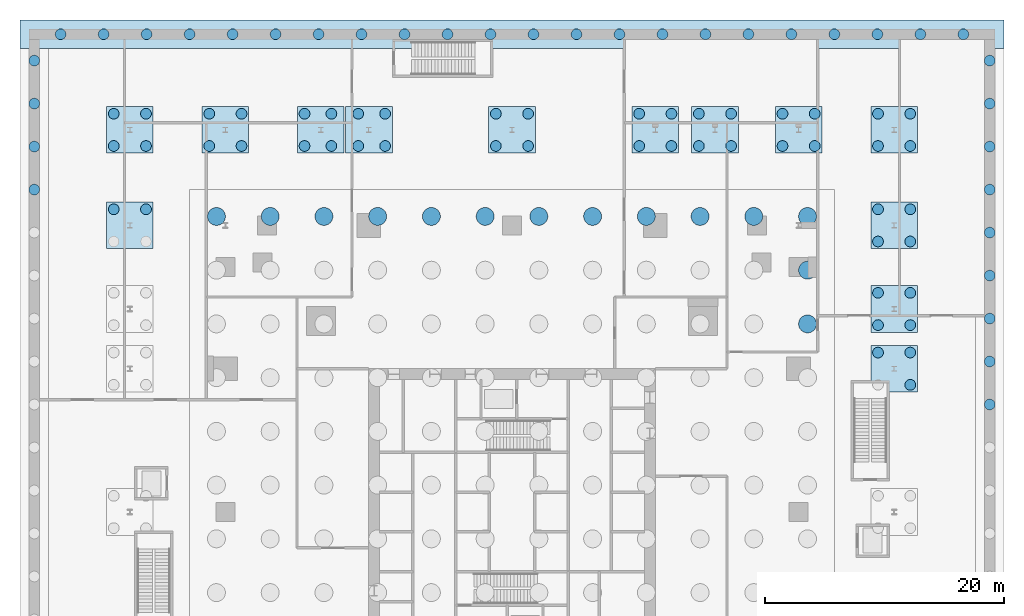
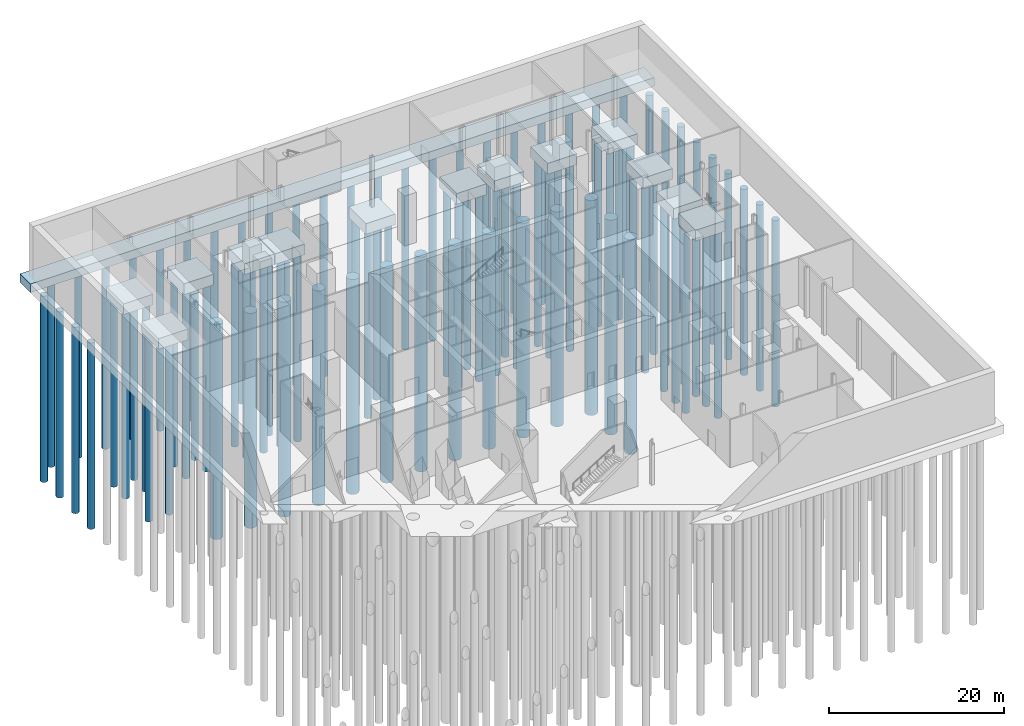
# One storey, part 2 of 15: 98 piles, 14 footings.
"""IFC4 building model written with IfcOpenShell, lengths in metres."""

from ifc_helpers import new_model, si_unit, direction, frame, origin, origin_2d, place, context, subcontext, project, spatial, rectangle, circle, extrude, material, type_object, element, save


model = new_model("IFC4")

# Units and contexts
model_context = context("Model", 3, precision=1e-05, world=origin(), true_north=direction((0.0, 1.0)))
body_context = subcontext(model_context, "Body", "Model", "MODEL_VIEW")
ifc_project = project(units=[si_unit("LENGTHUNIT", "METRE"), si_unit("AREAUNIT", "SQUARE_METRE"), si_unit("VOLUMEUNIT", "CUBIC_METRE"), si_unit("PLANEANGLEUNIT", "RADIAN"), si_unit("MASSUNIT", "GRAM", prefix="KILO")], contexts=[model_context])

# Site, building, storey
site_placement = place(None, origin())
site = spatial("IfcSite", under=ifc_project, at=site_placement, CompositionType="ELEMENT")
building_placement = place(site_placement, origin())
building = spatial("IfcBuilding", under=site, at=building_placement, Name="Fenwick Lantern Interchange", CompositionType="ELEMENT")
storey_placement = place(building_placement, frame((0.0, 0.0, -7.0)))
storey = spatial("IfcBuildingStorey", under=building, at=storey_placement, Name="B-1", CompositionType="ELEMENT", Elevation=-7.0)

# Piles
ifc_material = material(Name="Concrete f'c 45 MPa", Category="concrete")
pile_type_1 = type_object("IfcPileType", Name="BORED PILE 1500", PredefinedType="BORED", material=ifc_material)
for number, where, z_axis, x_axis, name in (
    (1, (0.25, 49.75, -3.0), (0.0, 0.0, -1.0), (1.0, 0.0, 0.0), "FDN/RAFT/P01-12"),
    (2, (4.75, 49.75, -3.0), (0.0, 0.0, -1.0), (1.0, 0.0, 0.0), "FDN/RAFT/P02-12"),
    (3, (9.25, 49.75, -3.0), (0.0, 0.0, -1.0), (1.0, 0.0, 0.0), "FDN/RAFT/P03-12"),
    (4, (13.75, 49.75, -3.0), (0.0, 0.0, -1.0), (1.0, 0.0, 0.0), "FDN/RAFT/P04-12"),
    (5, (18.25, 49.75, -3.0), (0.0, 0.0, -1.0), (1.0, 0.0, 0.0), "FDN/RAFT/P05-12"),
    (6, (22.75, 49.75, -3.0), (0.0, 0.0, -1.0), (1.0, 0.0, 0.0), "FDN/RAFT/P06-12"),
    (7, (27.25, 49.75, -3.0), (0.0, 0.0, -1.0), (1.0, 0.0, 0.0), "FDN/RAFT/P07-12"),
    (8, (31.75, 49.75, -3.0), (0.0, 0.0, -1.0), (1.0, 0.0, 0.0), "FDN/RAFT/P08-12"),
    (9, (36.25, 49.75, -3.0), (0.0, 0.0, -1.0), (1.0, 0.0, 0.0), "FDN/RAFT/P09-12"),
    (10, (40.75, 49.75, -3.0), (0.0, 0.0, -1.0), (1.0, 0.0, 0.0), "FDN/RAFT/P10-12"),
    (11, (45.25, 49.75, -3.0), (0.0, 0.0, -1.0), (1.0, 0.0, 0.0), "FDN/RAFT/P11-12"),
    (12, (49.75, 40.75, -3.0), (0.0, 0.0, -1.0), (1.0, 0.0, 0.0), "FDN/RAFT/P12-10"),
    (13, (49.75, 45.25, -3.0), (0.0, 0.0, -1.0), (1.0, 0.0, 0.0), "FDN/RAFT/P12-11"),
    (14, (49.75, 49.75, -3.0), (0.0, 0.0, -1.0), (1.0, 0.0, 0.0), "FDN/RAFT/P12-12"),
):
    element("IfcPile", number, at=place(storey_placement, frame(where, z_axis=z_axis, x_axis=x_axis)), inside=storey, type_object=pile_type_1, Name=name, PredefinedType="BORED", context=body_context, shape_type="SweptSolid", body=[
        extrude(circle(Radius=0.75, at=origin_2d()), origin(), (0.0, 0.0, 1.0), 30.0),
    ])
pile_type_2 = type_object("IfcPileType", Name="BORED PILE 900", PredefinedType="BORED", material=ifc_material)
for number, where, z_axis, x_axis, name in (
    (15, (-5.64990234375, 50.35009765625, -2.10009765625), (0.0, 0.0, -1.0), (1.0, 0.0, 0.0), "FDN/CAP/J2/P3"),
    (16, (-8.35009765625, 50.35009765625, -2.10009765625), (0.0, 0.0, -1.0), (1.0, 0.0, 0.0), "FDN/CAP/J2/P4"),
    (17, (-8.35009765625, 55.64990234375, -2.10009765625), (0.0, 0.0, -1.0), (1.0, 0.0, 0.0), "FDN/CAP/K2/P1"),
    (18, (-5.64990234375, 55.64990234375, -2.10009765625), (0.0, 0.0, -1.0), (1.0, 0.0, 0.0), "FDN/CAP/K2/P2"),
    (19, (-5.64990234375, 58.35009765625, -2.10009765625), (0.0, 0.0, -1.0), (1.0, 0.0, 0.0), "FDN/CAP/K2/P3"),
    (20, (-8.35009765625, 58.35009765625, -2.10009765625), (0.0, 0.0, -1.0), (1.0, 0.0, 0.0), "FDN/CAP/K2/P4"),
    (21, (-0.35009765625, 55.64990234375, -2.10009765625), (0.0, 0.0, -1.0), (1.0, 0.0, 0.0), "FDN/CAP/K3/P1"),
    (22, (2.35009765625, 55.64990234375, -2.10009765625), (0.0, 0.0, -1.0), (1.0, 0.0, 0.0), "FDN/CAP/K3/P2"),
    (23, (2.35009765625, 58.35009765625, -2.10009765625), (0.0, 0.0, -1.0), (1.0, 0.0, 0.0), "FDN/CAP/K3/P3"),
    (24, (-0.35009765625, 58.35009765625, -2.10009765625), (0.0, 0.0, -1.0), (1.0, 0.0, 0.0), "FDN/CAP/K3/P4"),
    (25, (7.625, 55.64990234375, -2.10009765625), (0.0, 0.0, -1.0), (1.0, 0.0, 0.0), "FDN/CAP/K4/P1"),
    (26, (9.875, 55.64990234375, -2.10009765625), (0.0, 0.0, -1.0), (1.0, 0.0, 0.0), "FDN/CAP/K4/P2"),
    (27, (9.875, 58.35009765625, -2.10009765625), (0.0, 0.0, -1.0), (1.0, 0.0, 0.0), "FDN/CAP/K4/P3"),
    (28, (7.625, 58.35009765625, -2.10009765625), (0.0, 0.0, -1.0), (1.0, 0.0, 0.0), "FDN/CAP/K4/P4"),
    (29, (12.125, 55.64990234375, -2.10009765625), (0.0, 0.0, -1.0), (1.0, 0.0, 0.0), "FDN/CAP/K5/P1"),
    (30, (14.375, 55.64990234375, -2.10009765625), (0.0, 0.0, -1.0), (1.0, 0.0, 0.0), "FDN/CAP/K5/P2"),
    (31, (14.375, 58.35009765625, -2.10009765625), (0.0, 0.0, -1.0), (1.0, 0.0, 0.0), "FDN/CAP/K5/P3"),
    (32, (12.125, 58.35009765625, -2.10009765625), (0.0, 0.0, -1.0), (1.0, 0.0, 0.0), "FDN/CAP/K5/P4"),
    (33, (23.64990234375, 55.64990234375, -2.10009765625), (0.0, 0.0, -1.0), (1.0, 0.0, 0.0), "FDN/CAP/K6/P1"),
    (34, (26.35009765625, 55.64990234375, -2.10009765625), (0.0, 0.0, -1.0), (1.0, 0.0, 0.0), "FDN/CAP/K6/P2"),
    (35, (26.35009765625, 58.35009765625, -2.10009765625), (0.0, 0.0, -1.0), (1.0, 0.0, 0.0), "FDN/CAP/K6/P3"),
    (36, (23.64990234375, 58.35009765625, -2.10009765625), (0.0, 0.0, -1.0), (1.0, 0.0, 0.0), "FDN/CAP/K6/P4"),
    (37, (35.64990234375, 55.64990234375, -2.10009765625), (0.0, 0.0, -1.0), (1.0, 0.0, 0.0), "FDN/CAP/K7/P1"),
    (38, (38.35009765625, 55.64990234375, -2.10009765625), (0.0, 0.0, -1.0), (1.0, 0.0, 0.0), "FDN/CAP/K7/P2"),
    (39, (38.35009765625, 58.35009765625, -2.10009765625), (0.0, 0.0, -1.0), (1.0, 0.0, 0.0), "FDN/CAP/K7/P3"),
    (40, (35.64990234375, 58.35009765625, -2.10009765625), (0.0, 0.0, -1.0), (1.0, 0.0, 0.0), "FDN/CAP/K7/P4"),
    (41, (40.64990234375, 55.64990234375, -2.10009765625), (0.0, 0.0, -1.0), (1.0, 0.0, 0.0), "FDN/CAP/K8/P1"),
    (42, (43.35009765625, 55.64990234375, -2.10009765625), (0.0, 0.0, -1.0), (1.0, 0.0, 0.0), "FDN/CAP/K8/P2"),
    (43, (43.35009765625, 58.35009765625, -2.10009765625), (0.0, 0.0, -1.0), (1.0, 0.0, 0.0), "FDN/CAP/K8/P3"),
    (44, (40.64990234375, 58.35009765625, -2.10009765625), (0.0, 0.0, -1.0), (1.0, 0.0, 0.0), "FDN/CAP/K8/P4"),
    (45, (47.64990234375, 55.64990234375, -2.10009765625), (0.0, 0.0, -1.0), (1.0, 0.0, 0.0), "FDN/CAP/K9/P1"),
    (46, (50.35009765625, 55.64990234375, -2.10009765625), (0.0, 0.0, -1.0), (1.0, 0.0, 0.0), "FDN/CAP/K9/P2"),
    (47, (50.35009765625, 58.35009765625, -2.10009765625), (0.0, 0.0, -1.0), (1.0, 0.0, 0.0), "FDN/CAP/K9/P3"),
    (48, (47.64990234375, 58.35009765625, -2.10009765625), (0.0, 0.0, -1.0), (1.0, 0.0, 0.0), "FDN/CAP/K9/P4"),
    (49, (58.35009765625, 35.64990234375, -2.10009765625), (0.0, 0.0, -1.0), (1.0, 0.0, 0.0), "FDN/CAP/G10/P2"),
    (50, (58.35009765625, 38.35009765625, -2.10009765625), (0.0, 0.0, -1.0), (1.0, 0.0, 0.0), "FDN/CAP/G10/P3"),
    (51, (55.64990234375, 38.35009765625, -2.10009765625), (0.0, 0.0, -1.0), (1.0, 0.0, 0.0), "FDN/CAP/G10/P4"),
    (52, (55.64990234375, 40.64990234375, -2.10009765625), (0.0, 0.0, -1.0), (1.0, 0.0, 0.0), "FDN/CAP/H10/P1"),
    (53, (58.35009765625, 40.64990234375, -2.10009765625), (0.0, 0.0, -1.0), (1.0, 0.0, 0.0), "FDN/CAP/H10/P2"),
    (54, (58.35009765625, 43.35009765625, -2.10009765625), (0.0, 0.0, -1.0), (1.0, 0.0, 0.0), "FDN/CAP/H10/P3"),
    (55, (55.64990234375, 43.35009765625, -2.10009765625), (0.0, 0.0, -1.0), (1.0, 0.0, 0.0), "FDN/CAP/H10/P4"),
    (56, (55.64990234375, 47.64990234375, -2.10009765625), (0.0, 0.0, -1.0), (1.0, 0.0, 0.0), "FDN/CAP/J10/P1"),
    (57, (58.35009765625, 47.64990234375, -2.10009765625), (0.0, 0.0, -1.0), (1.0, 0.0, 0.0), "FDN/CAP/J10/P2"),
    (58, (58.35009765625, 50.35009765625, -2.10009765625), (0.0, 0.0, -1.0), (1.0, 0.0, 0.0), "FDN/CAP/J10/P3"),
    (59, (55.64990234375, 50.35009765625, -2.10009765625), (0.0, 0.0, -1.0), (1.0, 0.0, 0.0), "FDN/CAP/J10/P4"),
    (60, (55.64990234375, 55.64990234375, -2.10009765625), (0.0, 0.0, -1.0), (1.0, 0.0, 0.0), "FDN/CAP/K10/P1"),
    (61, (58.35009765625, 55.64990234375, -2.10009765625), (0.0, 0.0, -1.0), (1.0, 0.0, 0.0), "FDN/CAP/K10/P2"),
    (62, (58.35009765625, 58.35009765625, -2.10009765625), (0.0, 0.0, -1.0), (1.0, 0.0, 0.0), "FDN/CAP/K10/P3"),
    (63, (55.64990234375, 58.35009765625, -2.10009765625), (0.0, 0.0, -1.0), (1.0, 0.0, 0.0), "FDN/CAP/K10/P4"),
    (64, (65.0, 34.0, -1.800048828125), (0.0, 0.0, -1.0), (1.0, 0.0, 0.0), "FDN/STRIP/E/P14"),
    (65, (65.0, 37.60009765625, -1.800048828125), (0.0, 0.0, -1.0), (1.0, 0.0, 0.0), "FDN/STRIP/E/P15"),
    (66, (65.0, 41.199951171875, -1.800048828125), (0.0, 0.0, -1.0), (1.0, 0.0, 0.0), "FDN/STRIP/E/P16"),
    (67, (65.0, 44.800048828125, -1.800048828125), (0.0, 0.0, -1.0), (1.0, 0.0, 0.0), "FDN/STRIP/E/P17"),
    (68, (65.0, 48.39990234375, -1.800048828125), (0.0, 0.0, -1.0), (1.0, 0.0, 0.0), "FDN/STRIP/E/P18"),
    (69, (65.0, 52.0, -1.800048828125), (0.0, 0.0, -1.0), (1.0, 0.0, 0.0), "FDN/STRIP/E/P19"),
    (70, (65.0, 55.60009765625, -1.800048828125), (0.0, 0.0, -1.0), (1.0, 0.0, 0.0), "FDN/STRIP/E/P20"),
    (71, (65.0, 59.199951171875, -1.800048828125), (0.0, 0.0, -1.0), (1.0, 0.0, 0.0), "FDN/STRIP/E/P21"),
    (72, (65.0, 62.800048828125, -1.800048828125), (0.0, 0.0, -1.0), (1.0, 0.0, 0.0), "FDN/STRIP/E/P22"),
    (73, (62.800048828125, 65.0, -1.800048828125), (0.0, 0.0, -1.0), (1.0, 0.0, 0.0), "FDN/STRIP/N/P01"),
    (74, (59.199951171875, 65.0, -1.800048828125), (0.0, 0.0, -1.0), (1.0, 0.0, 0.0), "FDN/STRIP/N/P02"),
    (75, (55.60009765625, 65.0, -1.800048828125), (0.0, 0.0, -1.0), (1.0, 0.0, 0.0), "FDN/STRIP/N/P03"),
    (76, (52.0, 65.0, -1.800048828125), (0.0, 0.0, -1.0), (1.0, 0.0, 0.0), "FDN/STRIP/N/P04"),
    (77, (48.39990234375, 65.0, -1.800048828125), (0.0, 0.0, -1.0), (1.0, 0.0, 0.0), "FDN/STRIP/N/P05"),
    (78, (44.800048828125, 65.0, -1.800048828125), (0.0, 0.0, -1.0), (1.0, 0.0, 0.0), "FDN/STRIP/N/P06"),
    (79, (41.199951171875, 65.0, -1.800048828125), (0.0, 0.0, -1.0), (1.0, 0.0, 0.0), "FDN/STRIP/N/P07"),
    (80, (37.60009765625, 65.0, -1.800048828125), (0.0, 0.0, -1.0), (1.0, 0.0, 0.0), "FDN/STRIP/N/P08"),
    (81, (34.0, 65.0, -1.800048828125), (0.0, 0.0, -1.0), (1.0, 0.0, 0.0), "FDN/STRIP/N/P09"),
    (82, (30.39990234375, 65.0, -1.800048828125), (0.0, 0.0, -1.0), (1.0, 0.0, 0.0), "FDN/STRIP/N/P10"),
    (83, (26.800048828125, 65.0, -1.800048828125), (0.0, 0.0, -1.0), (1.0, 0.0, 0.0), "FDN/STRIP/N/P11"),
    (84, (23.199951171875, 65.0, -1.800048828125), (0.0, 0.0, -1.0), (1.0, 0.0, 0.0), "FDN/STRIP/N/P12"),
    (85, (19.60009765625, 65.0, -1.800048828125), (0.0, 0.0, -1.0), (1.0, 0.0, 0.0), "FDN/STRIP/N/P13"),
    (86, (16.0, 65.0, -1.800048828125), (0.0, 0.0, -1.0), (1.0, 0.0, 0.0), "FDN/STRIP/N/P14"),
    (87, (12.39990234375, 65.0, -1.800048828125), (0.0, 0.0, -1.0), (1.0, 0.0, 0.0), "FDN/STRIP/N/P15"),
    (88, (8.800048828125, 65.0, -1.800048828125), (0.0, 0.0, -1.0), (1.0, 0.0, 0.0), "FDN/STRIP/N/P16"),
    (89, (5.199951171875, 65.0, -1.800048828125), (0.0, 0.0, -1.0), (1.0, 0.0, 0.0), "FDN/STRIP/N/P17"),
    (90, (1.60009765625, 65.0, -1.800048828125), (0.0, 0.0, -1.0), (1.0, 0.0, 0.0), "FDN/STRIP/N/P18"),
    (91, (-2.0, 65.0, -1.800048828125), (0.0, 0.0, -1.0), (1.0, 0.0, 0.0), "FDN/STRIP/N/P19"),
    (92, (-5.60009765625, 65.0, -1.800048828125), (0.0, 0.0, -1.0), (1.0, 0.0, 0.0), "FDN/STRIP/N/P20"),
    (93, (-9.199951171875, 65.0, -1.800048828125), (0.0, 0.0, -1.0), (1.0, 0.0, 0.0), "FDN/STRIP/N/P21"),
    (94, (-12.800048828125, 65.0, -1.800048828125), (0.0, 0.0, -1.0), (1.0, 0.0, 0.0), "FDN/STRIP/N/P22"),
    (95, (-15.0, 62.800048828125, -1.800048828125), (0.0, 0.0, -1.0), (1.0, 0.0, 0.0), "FDN/STRIP/W/P01"),
    (96, (-15.0, 59.199951171875, -1.800048828125), (0.0, 0.0, -1.0), (1.0, 0.0, 0.0), "FDN/STRIP/W/P02"),
    (97, (-15.0, 55.60009765625, -1.800048828125), (0.0, 0.0, -1.0), (1.0, 0.0, 0.0), "FDN/STRIP/W/P03"),
    (98, (-15.0, 52.0, -1.800048828125), (0.0, 0.0, -1.0), (1.0, 0.0, 0.0), "FDN/STRIP/W/P04"),
):
    element("IfcPile", number, at=place(storey_placement, frame(where, z_axis=z_axis, x_axis=x_axis)), inside=storey, type_object=pile_type_2, Name=name, PredefinedType="BORED", context=body_context, shape_type="SweptSolid", body=[
        extrude(circle(Radius=0.449951171875, at=origin_2d()), origin(), (0.0, 0.0, 1.0), 26.0),
    ])

# Footings
footing_type_1 = type_object("IfcFootingType", Name="PILE CAP 3900", PredefinedType="PILE_CAP", material=ifc_material)
for number, where, z_axis, x_axis, name in (
    (99, (-7.0, 49.0, -2.10009765625), (0.0, 0.0, 1.0), (1.0, 0.0, 0.0), "FDN/CAP/J2"),
    (100, (-7.0, 57.0, -2.10009765625), (0.0, 0.0, 1.0), (1.0, 0.0, 0.0), "FDN/CAP/K2"),
    (101, (1.0, 57.0, -2.10009765625), (0.0, 0.0, 1.0), (1.0, 0.0, 0.0), "FDN/CAP/K3"),
    (102, (25.0, 57.0, -2.10009765625), (0.0, 0.0, 1.0), (1.0, 0.0, 0.0), "FDN/CAP/K6"),
    (103, (37.0, 57.0, -2.10009765625), (0.0, 0.0, 1.0), (1.0, 0.0, 0.0), "FDN/CAP/K7"),
    (104, (42.0, 57.0, -2.10009765625), (0.0, 0.0, 1.0), (1.0, 0.0, 0.0), "FDN/CAP/K8"),
    (105, (49.0, 57.0, -2.10009765625), (0.0, 0.0, 1.0), (1.0, 0.0, 0.0), "FDN/CAP/K9"),
    (106, (57.0, 37.0, -2.10009765625), (0.0, 0.0, 1.0), (1.0, 0.0, 0.0), "FDN/CAP/G10"),
    (107, (57.0, 42.0, -2.10009765625), (0.0, 0.0, 1.0), (1.0, 0.0, 0.0), "FDN/CAP/H10"),
    (108, (57.0, 49.0, -2.10009765625), (0.0, 0.0, 1.0), (1.0, 0.0, 0.0), "FDN/CAP/J10"),
    (109, (57.0, 57.0, -2.10009765625), (0.0, 0.0, 1.0), (1.0, 0.0, 0.0), "FDN/CAP/K10"),
):
    element("IfcFooting", number, at=place(storey_placement, frame(where, z_axis=z_axis, x_axis=x_axis)), inside=storey, type_object=footing_type_1, Name=name, PredefinedType="PILE_CAP", context=body_context, shape_type="SweptSolid", body=[
        extrude(rectangle(XDim=3.89990234375, YDim=3.89990234375, at=origin_2d()), origin(), (0.0, 0.0, 1.0), 1.5),
    ])
footing_type_2 = type_object("IfcFootingType", Name="PILE CAP 3900 X 3925", PredefinedType="PILE_CAP", material=ifc_material)
for number, where, z_axis, x_axis, name in (
    (110, (8.987548828125, 57.0, -2.10009765625), (0.0, 0.0, 1.0), (1.0, 0.0, 0.0), "FDN/CAP/K4"),
    (111, (13.012451171875, 57.0, -2.10009765625), (0.0, 0.0, 1.0), (1.0, 0.0, 0.0), "FDN/CAP/K5"),
):
    element("IfcFooting", number, at=place(storey_placement, frame(where, z_axis=z_axis, x_axis=x_axis)), inside=storey, type_object=footing_type_2, Name=name, PredefinedType="PILE_CAP", context=body_context, shape_type="SweptSolid", body=[
        extrude(rectangle(XDim=3.925048828125, YDim=3.89990234375, at=origin_2d()), origin(), (0.0, 0.0, 1.0), 1.5),
    ])
footing_type_3 = type_object("IfcFootingType", Name="STRIP FOOTING 2400", PredefinedType="STRIP_FOOTING", material=ifc_material)
footing_placement = place(storey_placement, frame((25.0, 65.0, -1.7998046875), z_axis=(0.0, 0.0, 1.0), x_axis=(1.0, 0.0, 0.0)))
element("IfcFooting", 112, at=footing_placement, inside=storey, type_object=footing_type_3, Name="FDN/STRIP/N", PredefinedType="STRIP_FOOTING", context=body_context, shape_type="SweptSolid", body=[
    extrude(rectangle(XDim=82.39990234375, YDim=2.39990234375, at=origin_2d()), origin(), (0.0, 0.0, 1.0), 1.199951171875),
])

save(model, "model.ifc")
